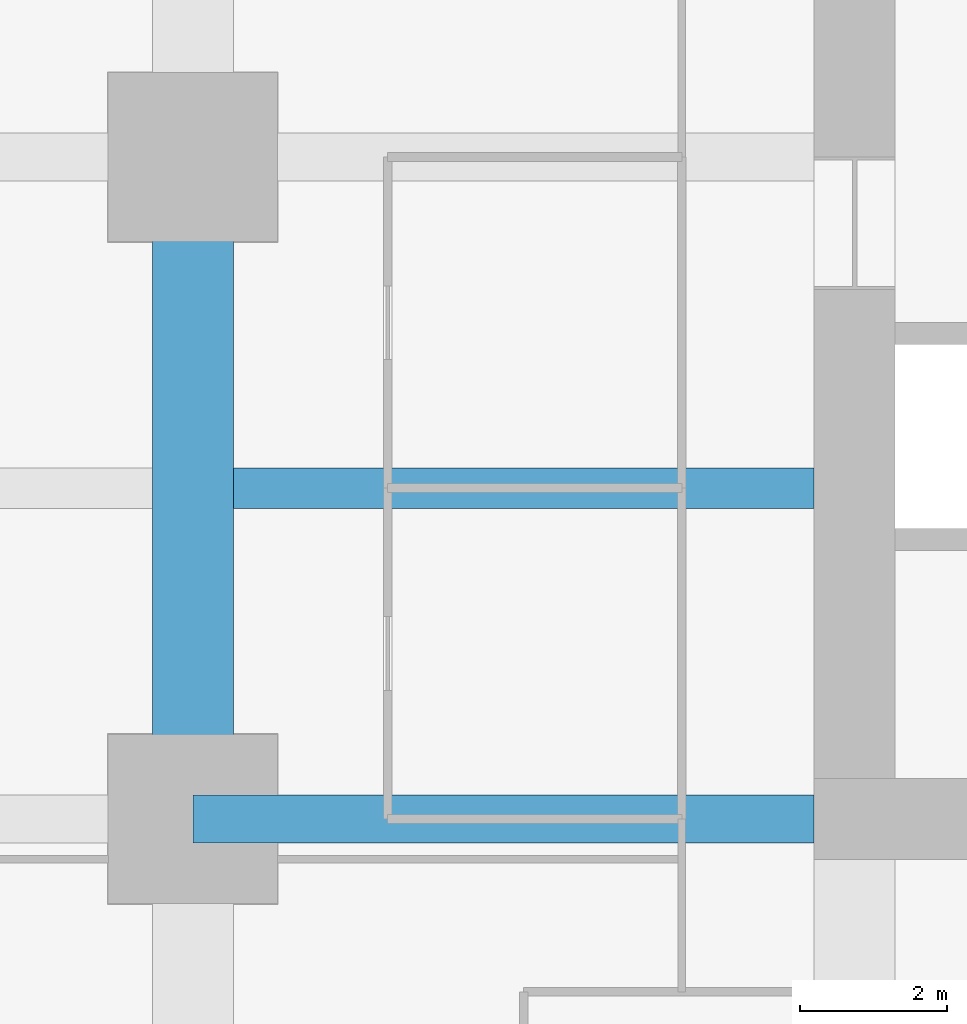
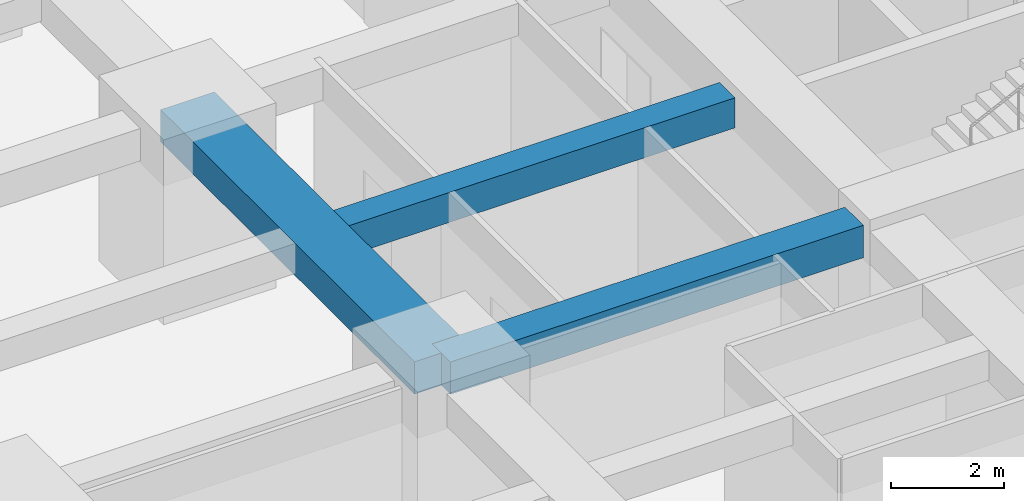
# One storey, part 10 of 45: 3 beams.
"""IFC4 building model written with IfcOpenShell, lengths in metres."""

from ifc_helpers import new_model, si_unit, direction, frame, origin, origin_2d, place, context, subcontext, project, spatial, rectangle, extrude, material, material_profile, profile_set, type_object, element, save


model = new_model("IFC4")

# Units and contexts
model_context = context("Model", 3, precision=1e-05, world=origin(), true_north=direction((0.0, 1.0)))
body_context = subcontext(model_context, "Body", "Model", "MODEL_VIEW")
ifc_project = project(units=[si_unit("LENGTHUNIT", "METRE"), si_unit("AREAUNIT", "SQUARE_METRE"), si_unit("VOLUMEUNIT", "CUBIC_METRE"), si_unit("PLANEANGLEUNIT", "RADIAN"), si_unit("MASSUNIT", "GRAM", prefix="KILO")], contexts=[model_context])

# Site, building, storey
site_placement = place(None, origin())
site = spatial("IfcSite", under=ifc_project, at=site_placement, CompositionType="ELEMENT")
building_placement = place(site_placement, origin())
building = spatial("IfcBuilding", under=site, at=building_placement, Name="Zorevar Civic Tower", CompositionType="ELEMENT")
storey_placement = place(building_placement, frame((0.0, 0.0, 27.800048828125)))
storey = spatial("IfcBuildingStorey", under=building, at=storey_placement, Name="L06", CompositionType="ELEMENT", Elevation=27.800048828125)

# Beams
ifc_material_1 = material(Name="Concrete C50/60", Category="concrete")
ifc_material_profile_1 = material_profile(ifc_material_1, rectangle(XDim=1.10009765625, YDim=0.699951171875, at=origin_2d()), Name="RC 1100x700")
ifc_profile_set_1 = profile_set([ifc_material_profile_1], Name="Concrete C50/60")
beam_type_1 = type_object("IfcBeamType", Name="Beam RC 1100x700", PredefinedType="BEAM", material=ifc_profile_set_1)
beam_1_placement = place(storey_placement, frame((9.0, 18.0, 3.39990234375), z_axis=(0.0, 1.0, 0.0), x_axis=(-1.0, 0.0, 0.0)))
element("IfcBeam", 1, at=beam_1_placement, inside=storey, type_object=beam_type_1, Name="Girder L07", PredefinedType="BEAM", context=body_context, shape_type="SweptSolid", body=[
    extrude(rectangle(XDim=1.10009765625, YDim=0.699951171875, at=origin_2d()), origin(), (0.0, 0.0, 1.0), 9.0),
])
ifc_material_2 = material(Name="Concrete C50/60", Category="concrete")
ifc_material_profile_2 = material_profile(ifc_material_2, rectangle(XDim=0.550048828125, YDim=0.64990234375, at=origin_2d()), Name="RC 550x650")
ifc_profile_set_2 = profile_set([ifc_material_profile_2], Name="Concrete C50/60")
beam_type_2 = type_object("IfcBeamType", Name="Beam RC 550x650", PredefinedType="BEAM", material=ifc_profile_set_2)
beam_2_placement = place(storey_placement, frame((9.550048828125, 22.5, 3.425048828125), z_axis=(1.0, 0.0, 0.0), x_axis=(0.0, 1.0, 0.0)))
element("IfcBeam", 2, at=beam_2_placement, inside=storey, type_object=beam_type_2, Name="Secondary beam L07", PredefinedType="BEAM", context=body_context, shape_type="SweptSolid", body=[
    extrude(rectangle(XDim=0.550048828125, YDim=0.64990234375, at=origin_2d()), origin(), (0.0, 0.0, 1.0), 7.89990234375),
])
ifc_material_3 = material(Name="Concrete C50/60", Category="concrete")
ifc_material_profile_3 = material_profile(ifc_material_3, rectangle(XDim=0.64990234375, YDim=0.699951171875, at=origin_2d()), Name="RC 650x700")
ifc_profile_set_3 = profile_set([ifc_material_profile_3], Name="Concrete C50/60")
beam_type_3 = type_object("IfcBeamType", Name="Beam RC 650x700", PredefinedType="BEAM", material=ifc_profile_set_3)
beam_3_placement = place(storey_placement, frame((9.0, 18.0, 3.39990234375), z_axis=(1.0, 0.0, 0.0), x_axis=(0.0, 1.0, 0.0)))
element("IfcBeam", 3, at=beam_3_placement, inside=storey, type_object=beam_type_3, Name="Girder L07", PredefinedType="BEAM", context=body_context, shape_type="SweptSolid", body=[
    extrude(rectangle(XDim=0.64990234375, YDim=0.699951171875, at=origin_2d()), origin(), (0.0, 0.0, 1.0), 8.449951171875),
])

save(model, "model.ifc")
